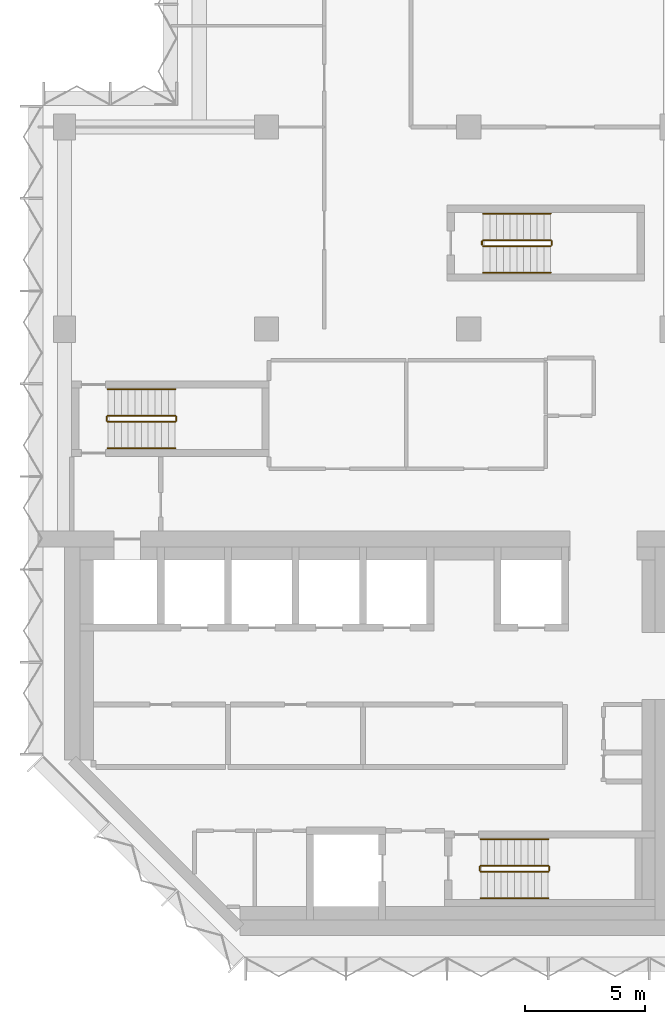
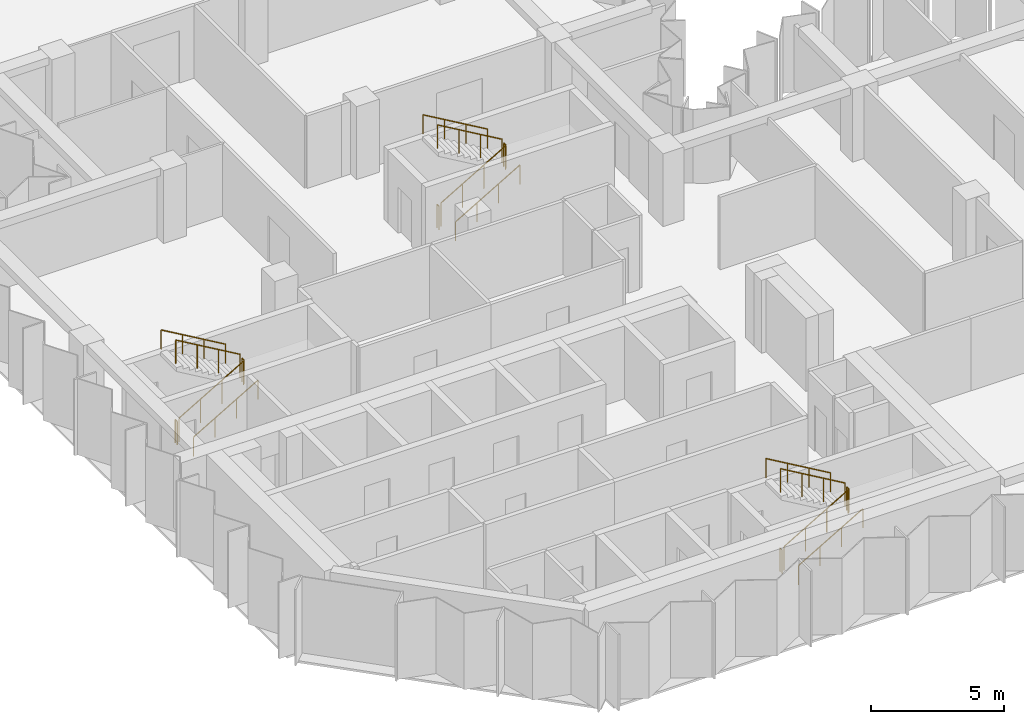
# One storey, part 9 of 10: 18 railings.
"""IFC4 building model written with IfcOpenShell, lengths in metres."""

from ifc_helpers import new_model, si_unit, direction, frame, origin, origin_2d, place, context, subcontext, project, spatial, circle, extrude, material, type_object, element, save


model = new_model("IFC4")

# Units and contexts
model_context = context("Model", 3, precision=1e-05, world=origin(), true_north=direction((0.0, 1.0)))
body_context = subcontext(model_context, "Body", "Model", "MODEL_VIEW")
ifc_project = project(units=[si_unit("LENGTHUNIT", "METRE"), si_unit("AREAUNIT", "SQUARE_METRE"), si_unit("VOLUMEUNIT", "CUBIC_METRE"), si_unit("PLANEANGLEUNIT", "RADIAN"), si_unit("MASSUNIT", "GRAM", prefix="KILO")], contexts=[model_context])

# Site, building, storey
site_placement = place(None, origin())
site = spatial("IfcSite", under=ifc_project, at=site_placement, CompositionType="ELEMENT")
building_placement = place(site_placement, origin())
building = spatial("IfcBuilding", under=site, at=building_placement, Name="Brevane Broadcast Tower", CompositionType="ELEMENT")
storey_placement = place(building_placement, frame((0.0, 0.0, 181.199951171875)))
storey = spatial("IfcBuildingStorey", under=building, at=storey_placement, Name="L45", CompositionType="ELEMENT", Elevation=181.199951171875)

# Railings
ifc_material = material(Name="Steel S355", Category="steel")
railing_type_1 = type_object("IfcRailingType", Name="Exit stair guard", PredefinedType="GUARDRAIL", material=ifc_material)
railing_1_placement = place(storey_placement, frame((1.800048828125, 21.35009765625, 0.16357421875)))
element("IfcRailing", 1, at=railing_1_placement, inside=storey, type_object=railing_type_1, Name="L45 ST-1 stair guard 1", PredefinedType="GUARDRAIL", context=body_context, shape_type="SweptSolid", body=[
    extrude(circle(Radius=0.02392578125, at=origin_2d()), frame((0.0, 0.0, 1.076171875), z_axis=(0.863360870873, 0.0, 0.504586966384), x_axis=(0.0, 1.0, 0.0)), (0.0, 0.0, 1.0), 3.2431640625),
    extrude(circle(Radius=0.02099609375, at=origin_2d()), origin(), (0.0, 0.0, 1.0), 1.052001953125),
    extrude(circle(Radius=0.02099609375, at=origin_2d()), frame((0.933349609375, 0.0, 0.54541015625)), (0.0, 0.0, 1.0), 1.052001953125),
    extrude(circle(Radius=0.02099609375, at=origin_2d()), frame((1.86669921875, 0.0, 1.091064453125)), (0.0, 0.0, 1.0), 1.052001953125),
    extrude(circle(Radius=0.02099609375, at=origin_2d()), frame((2.800048828125, 0.0, 1.636474609375)), (0.0, 0.0, 1.0), 1.052001953125),
])
railing_2_placement = place(storey_placement, frame((4.64990234375, 21.39990234375, 1.800048828125)))
element("IfcRailing", 2, at=railing_2_placement, inside=storey, type_object=railing_type_1, Name="L45 ST-1 stair guard 2", PredefinedType="GUARDRAIL", context=body_context, shape_type="SweptSolid", body=[
    extrude(circle(Radius=0.02392578125, at=origin_2d()), frame((0.0, 0.0, 1.076171875), z_axis=(0.0, 1.0, 0.0), x_axis=(-1.0, 0.0, 0.0)), (0.0, 0.0, 1.0), 0.150146484375),
    extrude(circle(Radius=0.02099609375, at=origin_2d()), origin(), (0.0, 0.0, 1.0), 1.052001953125),
    extrude(circle(Radius=0.02099609375, at=origin_2d()), frame((0.0, 0.150146484375, 0.0)), (0.0, 0.0, 1.0), 1.052001953125),
])
railing_3_placement = place(storey_placement, frame((4.60009765625, 21.60009765625, 1.963623046875)))
element("IfcRailing", 3, at=railing_3_placement, inside=storey, type_object=railing_type_1, Name="L45 ST-1 stair guard 3", PredefinedType="GUARDRAIL", context=body_context, shape_type="SweptSolid", body=[
    extrude(circle(Radius=0.02392578125, at=origin_2d()), frame((0.0, 0.0, 1.076171875), z_axis=(-0.863360870873, 0.0, 0.504586966384), x_axis=(0.0, -1.0, 0.0)), (0.0, 0.0, 1.0), 3.2431640625),
    extrude(circle(Radius=0.02099609375, at=origin_2d()), origin(), (0.0, 0.0, 1.0), 1.052001953125),
    extrude(circle(Radius=0.02099609375, at=origin_2d()), frame((-0.933349609375, 0.0, 0.54541015625)), (0.0, 0.0, 1.0), 1.052001953125),
    extrude(circle(Radius=0.02099609375, at=origin_2d()), frame((-1.86669921875, 0.0, 1.091064453125)), (0.0, 0.0, 1.0), 1.052001953125),
    extrude(circle(Radius=0.02099609375, at=origin_2d()), frame((-2.800048828125, 0.0, 1.636474609375)), (0.0, 0.0, 1.0), 1.052001953125),
])
railing_4_placement = place(storey_placement, frame((1.75, 21.39990234375, 0.0)))
element("IfcRailing", 4, at=railing_4_placement, inside=storey, type_object=railing_type_1, Name="L45 ST-1 stair guard 4", PredefinedType="GUARDRAIL", context=body_context, shape_type="SweptSolid", body=[
    extrude(circle(Radius=0.02392578125, at=origin_2d()), frame((0.0, 0.0, 1.076171875), z_axis=(0.0, 1.0, 0.0), x_axis=(-1.0, 0.0, 0.0)), (0.0, 0.0, 1.0), 0.150146484375),
    extrude(circle(Radius=0.02099609375, at=origin_2d()), origin(), (0.0, 0.0, 1.0), 1.052001953125),
    extrude(circle(Radius=0.02099609375, at=origin_2d()), frame((0.0, 0.150146484375, 0.0)), (0.0, 0.0, 1.0), 1.052001953125),
])
railing_5_placement = place(storey_placement, frame((17.300048828125, 2.64990234375, 0.16357421875)))
element("IfcRailing", 5, at=railing_5_placement, inside=storey, type_object=railing_type_1, Name="L45 ST-2 stair guard 1", PredefinedType="GUARDRAIL", context=body_context, shape_type="SweptSolid", body=[
    extrude(circle(Radius=0.02392578125, at=origin_2d()), frame((0.0, 0.0, 1.076171875), z_axis=(0.863360870873, 0.0, 0.504586966384), x_axis=(0.0, 1.0, 0.0)), (0.0, 0.0, 1.0), 3.2431640625),
    extrude(circle(Radius=0.02099609375, at=origin_2d()), origin(), (0.0, 0.0, 1.0), 1.052001953125),
    extrude(circle(Radius=0.02099609375, at=origin_2d()), frame((0.933349609375, 0.0, 0.54541015625)), (0.0, 0.0, 1.0), 1.052001953125),
    extrude(circle(Radius=0.02099609375, at=origin_2d()), frame((1.86669921875, 0.0, 1.091064453125)), (0.0, 0.0, 1.0), 1.052001953125),
    extrude(circle(Radius=0.02099609375, at=origin_2d()), frame((2.800048828125, 0.0, 1.636474609375)), (0.0, 0.0, 1.0), 1.052001953125),
])
railing_6_placement = place(storey_placement, frame((20.14990234375, 2.699951171875, 1.800048828125)))
element("IfcRailing", 6, at=railing_6_placement, inside=storey, type_object=railing_type_1, Name="L45 ST-2 stair guard 2", PredefinedType="GUARDRAIL", context=body_context, shape_type="SweptSolid", body=[
    extrude(circle(Radius=0.02392578125, at=origin_2d()), frame((0.0, 0.0, 1.076171875), z_axis=(0.0, 1.0, 0.0), x_axis=(-1.0, 0.0, 0.0)), (0.0, 0.0, 1.0), 0.150146484375),
    extrude(circle(Radius=0.02099609375, at=origin_2d()), origin(), (0.0, 0.0, 1.0), 1.052001953125),
    extrude(circle(Radius=0.02099609375, at=origin_2d()), frame((0.0, 0.150146484375, 0.0)), (0.0, 0.0, 1.0), 1.052001953125),
])
railing_7_placement = place(storey_placement, frame((20.10009765625, 2.89990234375, 1.963623046875)))
element("IfcRailing", 7, at=railing_7_placement, inside=storey, type_object=railing_type_1, Name="L45 ST-2 stair guard 3", PredefinedType="GUARDRAIL", context=body_context, shape_type="SweptSolid", body=[
    extrude(circle(Radius=0.02392578125, at=origin_2d()), frame((0.0, 0.0, 1.076171875), z_axis=(-0.863360870873, 0.0, 0.504586966384), x_axis=(0.0, -1.0, 0.0)), (0.0, 0.0, 1.0), 3.2431640625),
    extrude(circle(Radius=0.02099609375, at=origin_2d()), origin(), (0.0, 0.0, 1.0), 1.052001953125),
    extrude(circle(Radius=0.02099609375, at=origin_2d()), frame((-0.933349609375, 0.0, 0.54541015625)), (0.0, 0.0, 1.0), 1.052001953125),
    extrude(circle(Radius=0.02099609375, at=origin_2d()), frame((-1.86669921875, 0.0, 1.091064453125)), (0.0, 0.0, 1.0), 1.052001953125),
    extrude(circle(Radius=0.02099609375, at=origin_2d()), frame((-2.800048828125, 0.0, 1.636474609375)), (0.0, 0.0, 1.0), 1.052001953125),
])
railing_8_placement = place(storey_placement, frame((17.25, 2.699951171875, 0.0)))
element("IfcRailing", 8, at=railing_8_placement, inside=storey, type_object=railing_type_1, Name="L45 ST-2 stair guard 4", PredefinedType="GUARDRAIL", context=body_context, shape_type="SweptSolid", body=[
    extrude(circle(Radius=0.02392578125, at=origin_2d()), frame((0.0, 0.0, 1.076171875), z_axis=(0.0, 1.0, 0.0), x_axis=(-1.0, 0.0, 0.0)), (0.0, 0.0, 1.0), 0.150146484375),
    extrude(circle(Radius=0.02099609375, at=origin_2d()), origin(), (0.0, 0.0, 1.0), 1.052001953125),
    extrude(circle(Radius=0.02099609375, at=origin_2d()), frame((0.0, 0.150146484375, 0.0)), (0.0, 0.0, 1.0), 1.052001953125),
])
railing_9_placement = place(storey_placement, frame((17.39990234375, 28.64990234375, 0.16357421875)))
element("IfcRailing", 9, at=railing_9_placement, inside=storey, type_object=railing_type_1, Name="L45 ST-3 stair guard 1", PredefinedType="GUARDRAIL", context=body_context, shape_type="SweptSolid", body=[
    extrude(circle(Radius=0.02392578125, at=origin_2d()), frame((0.0, 0.0, 1.076171875), z_axis=(0.863360870873, 0.0, 0.504586966384), x_axis=(0.0, 1.0, 0.0)), (0.0, 0.0, 1.0), 3.2431640625),
    extrude(circle(Radius=0.02099609375, at=origin_2d()), origin(), (0.0, 0.0, 1.0), 1.052001953125),
    extrude(circle(Radius=0.02099609375, at=origin_2d()), frame((0.933349609375, 0.0, 0.54541015625)), (0.0, 0.0, 1.0), 1.052001953125),
    extrude(circle(Radius=0.02099609375, at=origin_2d()), frame((1.86669921875, 0.0, 1.091064453125)), (0.0, 0.0, 1.0), 1.052001953125),
    extrude(circle(Radius=0.02099609375, at=origin_2d()), frame((2.800048828125, 0.0, 1.636474609375)), (0.0, 0.0, 1.0), 1.052001953125),
])
railing_10_placement = place(storey_placement, frame((20.25, 28.699951171875, 1.800048828125)))
element("IfcRailing", 10, at=railing_10_placement, inside=storey, type_object=railing_type_1, Name="L45 ST-3 stair guard 2", PredefinedType="GUARDRAIL", context=body_context, shape_type="SweptSolid", body=[
    extrude(circle(Radius=0.02392578125, at=origin_2d()), frame((0.0, 0.0, 1.076171875), z_axis=(0.0, 1.0, 0.0), x_axis=(-1.0, 0.0, 0.0)), (0.0, 0.0, 1.0), 0.150146484375),
    extrude(circle(Radius=0.02099609375, at=origin_2d()), origin(), (0.0, 0.0, 1.0), 1.052001953125),
    extrude(circle(Radius=0.02099609375, at=origin_2d()), frame((0.0, 0.150146484375, 0.0)), (0.0, 0.0, 1.0), 1.052001953125),
])
railing_11_placement = place(storey_placement, frame((20.199951171875, 28.89990234375, 1.963623046875)))
element("IfcRailing", 11, at=railing_11_placement, inside=storey, type_object=railing_type_1, Name="L45 ST-3 stair guard 3", PredefinedType="GUARDRAIL", context=body_context, shape_type="SweptSolid", body=[
    extrude(circle(Radius=0.02392578125, at=origin_2d()), frame((0.0, 0.0, 1.076171875), z_axis=(-0.863360870873, 0.0, 0.504586966384), x_axis=(0.0, -1.0, 0.0)), (0.0, 0.0, 1.0), 3.2431640625),
    extrude(circle(Radius=0.02099609375, at=origin_2d()), origin(), (0.0, 0.0, 1.0), 1.052001953125),
    extrude(circle(Radius=0.02099609375, at=origin_2d()), frame((-0.933349609375, 0.0, 0.54541015625)), (0.0, 0.0, 1.0), 1.052001953125),
    extrude(circle(Radius=0.02099609375, at=origin_2d()), frame((-1.86669921875, 0.0, 1.091064453125)), (0.0, 0.0, 1.0), 1.052001953125),
    extrude(circle(Radius=0.02099609375, at=origin_2d()), frame((-2.800048828125, 0.0, 1.636474609375)), (0.0, 0.0, 1.0), 1.052001953125),
])
railing_12_placement = place(storey_placement, frame((17.35009765625, 28.699951171875, 0.0)))
element("IfcRailing", 12, at=railing_12_placement, inside=storey, type_object=railing_type_1, Name="L45 ST-3 stair guard 4", PredefinedType="GUARDRAIL", context=body_context, shape_type="SweptSolid", body=[
    extrude(circle(Radius=0.02392578125, at=origin_2d()), frame((0.0, 0.0, 1.076171875), z_axis=(0.0, 1.0, 0.0), x_axis=(-1.0, 0.0, 0.0)), (0.0, 0.0, 1.0), 0.150146484375),
    extrude(circle(Radius=0.02099609375, at=origin_2d()), origin(), (0.0, 0.0, 1.0), 1.052001953125),
    extrude(circle(Radius=0.02099609375, at=origin_2d()), frame((0.0, 0.150146484375, 0.0)), (0.0, 0.0, 1.0), 1.052001953125),
])
railing_type_2 = type_object("IfcRailingType", Name="Exit stair handrail", PredefinedType="HANDRAIL", material=ifc_material)
railing_13_placement = place(storey_placement, frame((1.800048828125, 20.25, 0.16357421875)))
element("IfcRailing", 13, at=railing_13_placement, inside=storey, type_object=railing_type_2, Name="L45 ST-1 stair handrail 1", PredefinedType="HANDRAIL", context=body_context, shape_type="SweptSolid", body=[
    extrude(circle(Radius=0.02392578125, at=origin_2d()), frame((0.0, 0.0, 0.8759765625), z_axis=(0.863360870873, 0.0, 0.504586966384), x_axis=(0.0, 1.0, 0.0)), (0.0, 0.0, 1.0), 3.2431640625),
    extrude(circle(Radius=0.02099609375, at=origin_2d()), origin(), (0.0, 0.0, 1.0), 0.851806640625),
    extrude(circle(Radius=0.02099609375, at=origin_2d()), frame((0.933349609375, 0.0, 0.54541015625)), (0.0, 0.0, 1.0), 0.851806640625),
    extrude(circle(Radius=0.02099609375, at=origin_2d()), frame((1.86669921875, 0.0, 1.091064453125)), (0.0, 0.0, 1.0), 0.851806640625),
    extrude(circle(Radius=0.02099609375, at=origin_2d()), frame((2.800048828125, 0.0, 1.636474609375)), (0.0, 0.0, 1.0), 0.851806640625),
])
railing_14_placement = place(storey_placement, frame((4.60009765625, 22.699951171875, 1.963623046875)))
element("IfcRailing", 14, at=railing_14_placement, inside=storey, type_object=railing_type_2, Name="L45 ST-1 stair handrail 2", PredefinedType="HANDRAIL", context=body_context, shape_type="SweptSolid", body=[
    extrude(circle(Radius=0.02392578125, at=origin_2d()), frame((0.0, 0.0, 0.8759765625), z_axis=(-0.863360870873, 0.0, 0.504586966384), x_axis=(0.0, -1.0, 0.0)), (0.0, 0.0, 1.0), 3.2431640625),
    extrude(circle(Radius=0.02099609375, at=origin_2d()), origin(), (0.0, 0.0, 1.0), 0.851806640625),
    extrude(circle(Radius=0.02099609375, at=origin_2d()), frame((-0.933349609375, 0.0, 0.54541015625)), (0.0, 0.0, 1.0), 0.851806640625),
    extrude(circle(Radius=0.02099609375, at=origin_2d()), frame((-1.86669921875, 0.0, 1.091064453125)), (0.0, 0.0, 1.0), 0.851806640625),
    extrude(circle(Radius=0.02099609375, at=origin_2d()), frame((-2.800048828125, 0.0, 1.636474609375)), (0.0, 0.0, 1.0), 0.851806640625),
])
railing_15_placement = place(storey_placement, frame((17.300048828125, 1.550048828125, 0.16357421875)))
element("IfcRailing", 15, at=railing_15_placement, inside=storey, type_object=railing_type_2, Name="L45 ST-2 stair handrail 1", PredefinedType="HANDRAIL", context=body_context, shape_type="SweptSolid", body=[
    extrude(circle(Radius=0.02392578125, at=origin_2d()), frame((0.0, 0.0, 0.8759765625), z_axis=(0.863360870873, 0.0, 0.504586966384), x_axis=(0.0, 1.0, 0.0)), (0.0, 0.0, 1.0), 3.2431640625),
    extrude(circle(Radius=0.02099609375, at=origin_2d()), origin(), (0.0, 0.0, 1.0), 0.851806640625),
    extrude(circle(Radius=0.02099609375, at=origin_2d()), frame((0.933349609375, 0.0, 0.54541015625)), (0.0, 0.0, 1.0), 0.851806640625),
    extrude(circle(Radius=0.02099609375, at=origin_2d()), frame((1.86669921875, 0.0, 1.091064453125)), (0.0, 0.0, 1.0), 0.851806640625),
    extrude(circle(Radius=0.02099609375, at=origin_2d()), frame((2.800048828125, 0.0, 1.636474609375)), (0.0, 0.0, 1.0), 0.851806640625),
])
railing_16_placement = place(storey_placement, frame((20.10009765625, 4.0, 1.963623046875)))
element("IfcRailing", 16, at=railing_16_placement, inside=storey, type_object=railing_type_2, Name="L45 ST-2 stair handrail 2", PredefinedType="HANDRAIL", context=body_context, shape_type="SweptSolid", body=[
    extrude(circle(Radius=0.02392578125, at=origin_2d()), frame((0.0, 0.0, 0.8759765625), z_axis=(-0.863360870873, 0.0, 0.504586966384), x_axis=(0.0, -1.0, 0.0)), (0.0, 0.0, 1.0), 3.2431640625),
    extrude(circle(Radius=0.02099609375, at=origin_2d()), origin(), (0.0, 0.0, 1.0), 0.851806640625),
    extrude(circle(Radius=0.02099609375, at=origin_2d()), frame((-0.933349609375, 0.0, 0.54541015625)), (0.0, 0.0, 1.0), 0.851806640625),
    extrude(circle(Radius=0.02099609375, at=origin_2d()), frame((-1.86669921875, 0.0, 1.091064453125)), (0.0, 0.0, 1.0), 0.851806640625),
    extrude(circle(Radius=0.02099609375, at=origin_2d()), frame((-2.800048828125, 0.0, 1.636474609375)), (0.0, 0.0, 1.0), 0.851806640625),
])
railing_17_placement = place(storey_placement, frame((17.39990234375, 27.550048828125, 0.16357421875)))
element("IfcRailing", 17, at=railing_17_placement, inside=storey, type_object=railing_type_2, Name="L45 ST-3 stair handrail 1", PredefinedType="HANDRAIL", context=body_context, shape_type="SweptSolid", body=[
    extrude(circle(Radius=0.02392578125, at=origin_2d()), frame((0.0, 0.0, 0.8759765625), z_axis=(0.863360870873, 0.0, 0.504586966384), x_axis=(0.0, 1.0, 0.0)), (0.0, 0.0, 1.0), 3.2431640625),
    extrude(circle(Radius=0.02099609375, at=origin_2d()), origin(), (0.0, 0.0, 1.0), 0.851806640625),
    extrude(circle(Radius=0.02099609375, at=origin_2d()), frame((0.933349609375, 0.0, 0.54541015625)), (0.0, 0.0, 1.0), 0.851806640625),
    extrude(circle(Radius=0.02099609375, at=origin_2d()), frame((1.86669921875, 0.0, 1.091064453125)), (0.0, 0.0, 1.0), 0.851806640625),
    extrude(circle(Radius=0.02099609375, at=origin_2d()), frame((2.800048828125, 0.0, 1.636474609375)), (0.0, 0.0, 1.0), 0.851806640625),
])
railing_18_placement = place(storey_placement, frame((20.199951171875, 30.0, 1.963623046875)))
element("IfcRailing", 18, at=railing_18_placement, inside=storey, type_object=railing_type_2, Name="L45 ST-3 stair handrail 2", PredefinedType="HANDRAIL", context=body_context, shape_type="SweptSolid", body=[
    extrude(circle(Radius=0.02392578125, at=origin_2d()), frame((0.0, 0.0, 0.8759765625), z_axis=(-0.863360870873, 0.0, 0.504586966384), x_axis=(0.0, -1.0, 0.0)), (0.0, 0.0, 1.0), 3.2431640625),
    extrude(circle(Radius=0.02099609375, at=origin_2d()), origin(), (0.0, 0.0, 1.0), 0.851806640625),
    extrude(circle(Radius=0.02099609375, at=origin_2d()), frame((-0.933349609375, 0.0, 0.54541015625)), (0.0, 0.0, 1.0), 0.851806640625),
    extrude(circle(Radius=0.02099609375, at=origin_2d()), frame((-1.86669921875, 0.0, 1.091064453125)), (0.0, 0.0, 1.0), 0.851806640625),
    extrude(circle(Radius=0.02099609375, at=origin_2d()), frame((-2.800048828125, 0.0, 1.636474609375)), (0.0, 0.0, 1.0), 0.851806640625),
])

save(model, "model.ifc")
